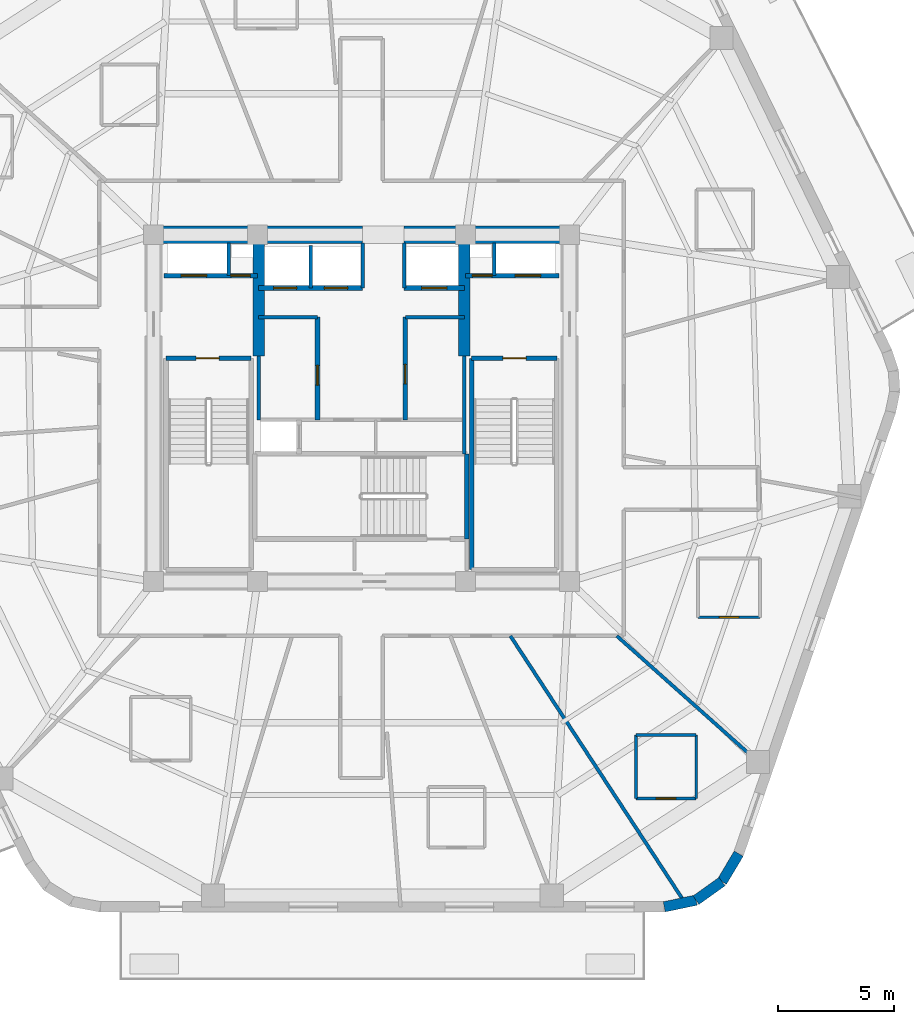
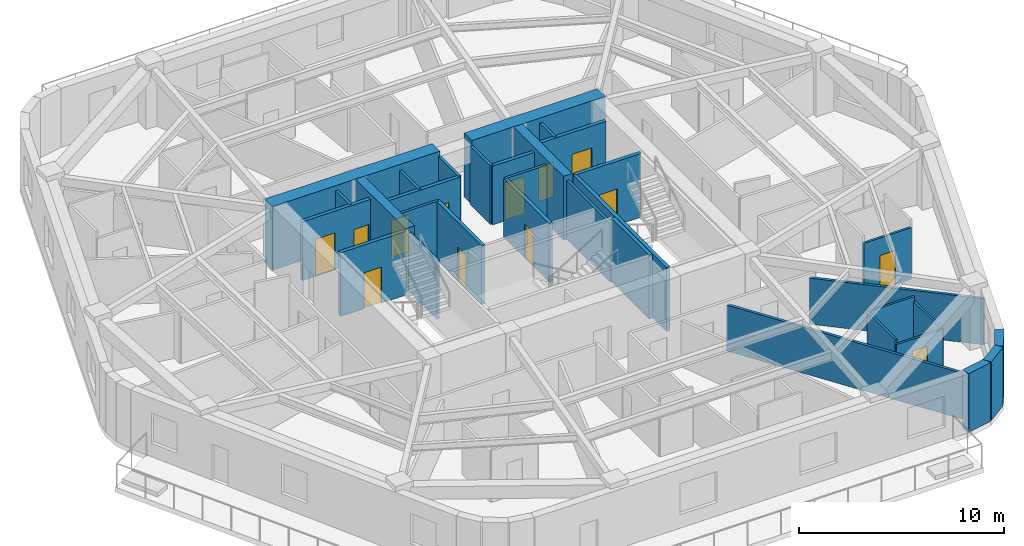
# One storey, part 4 of 10: 33 walls, 13 doors, 13 openings.
"""IFC4 building model written with IfcOpenShell, lengths in metres."""

from ifc_helpers import new_model, si_unit, direction, frame, frame_2d, origin, place, context, subcontext, project, spatial, rectangle, extrude, material, layer, layer_set, type_object, element, fill, save


model = new_model("IFC4")

# Units and contexts
model_context = context("Model", 3, precision=1e-05, world=origin(), true_north=direction((0.0, 1.0)))
body_context = subcontext(model_context, "Body", "Model", "MODEL_VIEW")
ifc_project = project(units=[si_unit("LENGTHUNIT", "METRE"), si_unit("AREAUNIT", "SQUARE_METRE"), si_unit("VOLUMEUNIT", "CUBIC_METRE"), si_unit("PLANEANGLEUNIT", "RADIAN"), si_unit("MASSUNIT", "GRAM", prefix="KILO")], contexts=[model_context])

# Site, building, storey
site_placement = place(None, origin())
site = spatial("IfcSite", under=ifc_project, at=site_placement, CompositionType="ELEMENT")
building_placement = place(site_placement, origin())
building = spatial("IfcBuilding", under=site, at=building_placement, Name="Kilnhurst Terrace Hotel", CompositionType="ELEMENT")
storey_placement = place(building_placement, frame((0.0, 0.0, 217.89990234375)))
storey = spatial("IfcBuildingStorey", under=building, at=storey_placement, Name="L54", CompositionType="ELEMENT", Elevation=217.89990234375)

# Walls
ifc_material_1 = material(Name="Precast concrete C40/50", Category="concrete")
ifc_layer_1 = layer(ifc_material_1, 0.449951171875, Name="Precast concrete C40/50")
ifc_layer_set_1 = layer_set([ifc_layer_1], Name="Precast concrete C40/50")
wall_type_1 = type_object("IfcWallType", Name="WL-BRK-450", PredefinedType="SOLIDWALL", material=ifc_layer_set_1)
wall_1_placement = place(storey_placement, frame((13.1015625, -21.574951171875, 0.0), z_axis=(0.0, 0.0, 1.0), x_axis=(0.978757421505, 0.205021730188, 0.0)))
element("IfcWall", 1, at=wall_1_placement, inside=storey, type_object=wall_type_1, Name="L54 Rounded Corner Brick Wall C2.1", PredefinedType="SOLIDWALL", context=body_context, shape_type="SweptSolid", body=[
    extrude(rectangle(XDim=1.40625, YDim=0.449951171875, at=frame_2d((0.703125, 0.0))), origin(), (0.0, 0.0, 1.0), 3.5),
])
wall_2_placement = place(storey_placement, frame((14.47802734375, -21.28662109375, 0.0), z_axis=(0.0, 0.0, 1.0), x_axis=(0.813888518617, 0.58102106611, 0.0)))
element("IfcWall", 2, at=wall_2_placement, inside=storey, type_object=wall_type_1, Name="L54 Rounded Corner Brick Wall C2.2", PredefinedType="SOLIDWALL", context=body_context, shape_type="SweptSolid", body=[
    extrude(rectangle(XDim=1.3828125, YDim=0.449951171875, at=frame_2d((0.69140625, 0.0))), origin(), (0.0, 0.0, 1.0), 3.5),
])
wall_3_placement = place(storey_placement, frame((15.603515625, -20.483154296875, 0.0), z_axis=(0.0, 0.0, 1.0), x_axis=(0.512222149036, 0.858852996756, 0.0)))
element("IfcWall", 3, at=wall_3_placement, inside=storey, type_object=wall_type_1, Name="L54 Rounded Corner Brick Wall C2.3", PredefinedType="SOLIDWALL", context=body_context, shape_type="SweptSolid", body=[
    extrude(rectangle(XDim=1.406494140625, YDim=0.449951171875, at=frame_2d((0.703125, 0.0))), origin(), (0.0, 0.0, 1.0), 3.5),
])
ifc_material_2 = material(Name="Concrete C60/75", Category="concrete")
ifc_layer_2 = layer(ifc_material_2, 0.75, Name="Concrete C60/75")
ifc_layer_set_2 = layer_set([ifc_layer_2], Name="Concrete C60/75")
wall_type_2 = type_object("IfcWallType", Name="WL-CORE-750", PredefinedType="SHEAR", material=ifc_layer_set_2)
wall_4_placement = place(storey_placement, frame((-9.375, 7.5, 0.0), z_axis=(0.0, 0.0, 1.0), x_axis=(1.0, 0.0, 0.0)))
element("IfcWall", 4, at=wall_4_placement, inside=storey, type_object=wall_type_2, Name="L54 Core North West Shear Wall", PredefinedType="SHEAR", context=body_context, shape_type="SweptSolid", body=[
    extrude(rectangle(XDim=9.425048828125, YDim=0.75, at=frame_2d((4.71240234375, 0.0))), origin(), (0.0, 0.0, 1.0), 3.800048828125),
])
wall_5_placement = place(storey_placement, frame((1.85009765625, 7.5, 0.0), z_axis=(0.0, 0.0, 1.0), x_axis=(1.0, 0.0, 0.0)))
element("IfcWall", 5, at=wall_5_placement, inside=storey, type_object=wall_type_2, Name="L54 Core North East Shear Wall", PredefinedType="SHEAR", context=body_context, shape_type="SweptSolid", body=[
    extrude(rectangle(XDim=7.52490234375, YDim=0.75, at=frame_2d((3.762451171875, 0.0))), origin(), (0.0, 0.0, 1.0), 3.800048828125),
])
ifc_layer_3 = layer(ifc_material_2, 0.5, Name="Concrete C60/75")
ifc_layer_set_3 = layer_set([ifc_layer_3], Name="Concrete C60/75")
wall_type_3 = type_object("IfcWallType", Name="WL-CORE-WEB-500", PredefinedType="SHEAR", material=ifc_layer_set_3)
for number, where, z_axis, x_axis, name in (
    (6, (-4.449951171875, 2.25, 0.0), (0.0, 0.0, 1.0), (0.0, 1.0, 0.0), "L54 Core Internal West Shear Web"),
    (7, (4.449951171875, 2.25, 0.0), (0.0, 0.0, 1.0), (0.0, 1.0, 0.0), "L54 Core Internal East Shear Web"),
):
    element("IfcWall", number, at=place(storey_placement, frame(where, z_axis=z_axis, x_axis=x_axis)), inside=storey, type_object=wall_type_3, Name=name, PredefinedType="SHEAR", context=body_context, shape_type="SweptSolid", body=[
        extrude(rectangle(XDim=4.875, YDim=0.5, at=frame_2d((2.4375, 0.0))), origin(), (0.0, 0.0, 1.0), 3.800048828125),
    ])
ifc_material_3 = material(Name="STC-58 Acoustic Twin-Frame Guestroom Demising Partition")
ifc_layer_4 = layer(ifc_material_3, 0.14990234375, Name="STC-58 Acoustic Twin-Frame Guestroom Demising Partition")
ifc_layer_set_4 = layer_set([ifc_layer_4], Name="STC-58 Acoustic Twin-Frame Guestroom Demising Partition")
wall_type_4 = type_object("IfcWallType", Name="WL-DEM-150", PredefinedType="PARTITIONING", material=ifc_layer_set_4)
wall_6_placement = place(storey_placement, frame((6.4443359375, -9.85009765625, 0.0), z_axis=(0.0, 0.0, 1.0), x_axis=(0.547492333129, -0.836810698525, 0.0)))
element("IfcWall", 8, at=wall_6_placement, inside=storey, type_object=wall_type_4, Name="L54 Interior Wall WL-L54-DEM-MID10-15-1", PredefinedType="PARTITIONING", context=body_context, shape_type="SweptSolid", body=[
    extrude(rectangle(XDim=13.6162109375, YDim=0.14990234375, at=frame_2d((6.80810546875, 0.0))), origin(), (0.0, 0.0, 1.0), 2.739990234375),
])
wall_7_placement = place(storey_placement, frame((11.04833984375, -9.85009765625, 0.0), z_axis=(0.0, 0.0, 1.0), x_axis=(0.746444434655, -0.665447748492, 0.0)))
element("IfcWall", 9, at=wall_7_placement, inside=storey, type_object=wall_type_4, Name="L54 Interior Wall WL-L54-DEM-COL11-16-1", PredefinedType="PARTITIONING", context=body_context, shape_type="SweptSolid", body=[
    extrude(rectangle(XDim=8.732177734375, YDim=0.14990234375, at=frame_2d((4.3662109375, 0.0))), origin(), (0.0, 0.0, 1.0), 2.739990234375),
])

# Wall, opening, door
ifc_material_4 = material(Name="120 mm Moisture-Resistant Tile-Backed Bathroom Partition")
ifc_layer_5 = layer(ifc_material_4, 0.1201171875, Name="120 mm Moisture-Resistant Tile-Backed Bathroom Partition")
ifc_layer_set_5 = layer_set([ifc_layer_5], Name="120 mm Moisture-Resistant Tile-Backed Bathroom Partition")
wall_type_5 = type_object("IfcWallType", Name="WL-PART-120", PredefinedType="PARTITIONING", material=ifc_layer_set_5)
wall_8_placement = place(storey_placement, frame((11.884033203125, -16.889892578125, 0.0), z_axis=(0.0, 0.0, 1.0), x_axis=(1.0, 0.0, 0.0)))
wall_8 = element("IfcWall", 10, at=wall_8_placement, inside=storey, type_object=wall_type_5, Name="L54 Interior Wall WL-L54-BTH-15-1", PredefinedType="PARTITIONING", context=body_context, shape_type="SweptSolid", body=[
    extrude(rectangle(XDim=2.599853515625, YDim=0.1201171875, at=frame_2d((1.2998046875, 0.0))), origin(), (0.0, 0.0, 1.0), 2.739990234375),
])
opening_1_placement = place(wall_8_placement, frame((0.875, 0.0, 0.0)))
opening_1 = element("IfcOpeningElement", 11, at=opening_1_placement, cuts=wall_8, Name="Opening D-08A", PredefinedType="OPENING", context=body_context, shape_type="SweptSolid", body=[
    extrude(rectangle(XDim=0.85009765625, YDim=2.030029296875, at=frame_2d((0.425048828125, 1.01513671875))), frame((0.0, 0.070068359375, 0.0), z_axis=(0.0, -1.0, 0.0), x_axis=(1.0, 0.0, 0.0)), (0.0, 0.0, 1.0), 0.14013671875),
])
ifc_material_5 = material(Name="Moisture-Resistant Lacquered En-suite Bathroom Door")
door_type_1 = type_object("IfcDoorType", Name="DR-INT-850", OperationType="NOTDEFINED", PredefinedType="DOOR", material=ifc_material_5)
door_1_placement = place(opening_1_placement, origin())
door_1 = element("IfcDoor", 12, at=door_1_placement, inside=storey, type_object=door_type_1, Name="L54 En-suite Bathroom Door 15", OperationType="SINGLE_SWING_RIGHT", OverallHeight=2.030029296875, OverallWidth=0.85009765625, PredefinedType="DOOR", context=body_context, shape_type="SweptSolid", body=[
    extrude(rectangle(XDim=0.85009765625, YDim=2.030029296875, at=frame_2d((0.425048828125, 1.01513671875))), frame((0.0, 0.02490234375, 0.0), z_axis=(0.0, -1.0, 0.0), x_axis=(1.0, 0.0, 0.0)), (0.0, 0.0, 1.0), 0.050048828125),
])
fill(opening_1, door_1)

# Walls
wall_9_placement = place(storey_placement, frame((14.48388671875, -16.889892578125, 0.0), z_axis=(0.0, 0.0, 1.0), x_axis=(0.0, 1.0, 0.0)))
element("IfcWall", 13, at=wall_9_placement, inside=storey, type_object=wall_type_5, Name="L54 Interior Wall WL-L54-BTH-15-2", PredefinedType="PARTITIONING", context=body_context, shape_type="SweptSolid", body=[
    extrude(rectangle(XDim=2.75, YDim=0.1201171875, at=frame_2d((1.375, 0.0))), origin(), (0.0, 0.0, 1.0), 2.739990234375),
])
wall_10_placement = place(storey_placement, frame((14.48388671875, -14.139892578125, 0.0), z_axis=(0.0, 0.0, 1.0), x_axis=(-1.0, 0.0, 0.0)))
element("IfcWall", 14, at=wall_10_placement, inside=storey, type_object=wall_type_5, Name="L54 Interior Wall WL-L54-BTH-15-3", PredefinedType="PARTITIONING", context=body_context, shape_type="SweptSolid", body=[
    extrude(rectangle(XDim=2.599853515625, YDim=0.1201171875, at=frame_2d((1.2998046875, 0.0))), origin(), (0.0, 0.0, 1.0), 3.026611328125),
])
wall_11_placement = place(storey_placement, frame((11.884033203125, -14.139892578125, 0.0), z_axis=(0.0, 0.0, 1.0), x_axis=(0.0, -1.0, 0.0)))
element("IfcWall", 15, at=wall_11_placement, inside=storey, type_object=wall_type_5, Name="L54 Interior Wall WL-L54-BTH-15-4", PredefinedType="PARTITIONING", context=body_context, shape_type="SweptSolid", body=[
    extrude(rectangle(XDim=2.75, YDim=0.1201171875, at=frame_2d((1.375, 0.0))), origin(), (0.0, 0.0, 1.0), 3.026611328125),
])

# Wall, opening, door
wall_12_placement = place(storey_placement, frame((14.568115234375, -9.044921875, 0.0), z_axis=(0.0, 0.0, 1.0), x_axis=(1.0, 0.0, 0.0)))
wall_12 = element("IfcWall", 16, at=wall_12_placement, inside=storey, type_object=wall_type_5, Name="L54 Interior Wall WL-L54-BTH-16-1", PredefinedType="PARTITIONING", context=body_context, shape_type="SweptSolid", body=[
    extrude(rectangle(XDim=2.679931640625, YDim=0.1201171875, at=frame_2d((1.33984375, 0.0))), origin(), (0.0, 0.0, 1.0), 3.072509765625),
])
opening_2_placement = place(wall_12_placement, frame((0.9150390625, 0.0, 0.0)))
opening_2 = element("IfcOpeningElement", 17, at=opening_2_placement, cuts=wall_12, Name="Opening D-08A", PredefinedType="OPENING", context=body_context, shape_type="SweptSolid", body=[
    extrude(rectangle(XDim=0.85009765625, YDim=2.030029296875, at=frame_2d((0.425048828125, 1.01513671875))), frame((0.0, 0.070068359375, 0.0), z_axis=(0.0, -1.0, 0.0), x_axis=(1.0, 0.0, 0.0)), (0.0, 0.0, 1.0), 0.14013671875),
])
door_2_placement = place(opening_2_placement, origin())
door_2 = element("IfcDoor", 18, at=door_2_placement, inside=storey, type_object=door_type_1, Name="L54 En-suite Bathroom Door 16", OperationType="SINGLE_SWING_LEFT", OverallHeight=2.030029296875, OverallWidth=0.85009765625, PredefinedType="DOOR", context=body_context, shape_type="SweptSolid", body=[
    extrude(rectangle(XDim=0.85009765625, YDim=2.030029296875, at=frame_2d((0.425048828125, 1.01513671875))), frame((0.0, 0.02490234375, 0.0), z_axis=(0.0, -1.0, 0.0), x_axis=(1.0, 0.0, 0.0)), (0.0, 0.0, 1.0), 0.050048828125),
])
fill(opening_2, door_2)

# Walls
ifc_material_6 = material(Name="Fire-Rated Gypsum Shaftliner Assembly")
ifc_layer_6 = layer(ifc_material_6, 0.14990234375, Name="Fire-Rated Gypsum Shaftliner Assembly")
ifc_layer_set_6 = layer_set([ifc_layer_6], Name="Fire-Rated Gypsum Shaftliner Assembly")
wall_type_6 = type_object("IfcWallType", Name="WL-SHAFT-150", PredefinedType="PARTITIONING", material=ifc_layer_set_6)
for number, where, z_axis, x_axis, name in (
    (19, (-5.75, 5.739990234375, 0.0), (0.0, 0.0, 1.0), (0.0, 1.0, 0.0), "L54 Interior Wall WL-L54-RIS1-DIV"),
    (20, (5.75, 5.739990234375, 0.0), (0.0, 0.0, 1.0), (0.0, 1.0, 0.0), "L54 Interior Wall WL-L54-RIS2-DIV"),
):
    element("IfcWall", number, at=place(storey_placement, frame(where, z_axis=z_axis, x_axis=x_axis)), inside=storey, type_object=wall_type_6, Name=name, PredefinedType="PARTITIONING", context=body_context, shape_type="SweptSolid", body=[
        extrude(rectangle(XDim=1.409912109375, YDim=0.14990234375, at=frame_2d((0.705078125, 0.0))), origin(), (0.0, 0.0, 1.0), 3.5),
    ])
wall_13_placement = place(storey_placement, frame((-2.199951171875, 5.199951171875, 0.0), z_axis=(0.0, 0.0, 1.0), x_axis=(0.0, 1.0, 0.0)))
element("IfcWall", 21, at=wall_13_placement, inside=storey, type_object=wall_type_6, Name="L54 Interior Wall WL-L54-HR-DIV1", PredefinedType="PARTITIONING", context=body_context, shape_type="SweptSolid", body=[
    extrude(rectangle(XDim=1.85009765625, YDim=0.14990234375, at=frame_2d((0.925048828125, 0.0))), origin(), (0.0, 0.0, 1.0), 3.5),
])
for number, where, z_axis, x_axis, name in (
    (22, (0.050048828125, 5.199951171875, 0.0), (0.0, 0.0, 1.0), (0.0, 1.0, 0.0), "L54 Interior Wall WL-L54-HR-PORTAL-W"),
    (23, (1.85009765625, 5.199951171875, 0.0), (0.0, 0.0, 1.0), (0.0, 1.0, 0.0), "L54 Interior Wall WL-L54-HR-PORTAL-E"),
):
    element("IfcWall", number, at=place(storey_placement, frame(where, z_axis=z_axis, x_axis=x_axis)), inside=storey, type_object=wall_type_6, Name=name, PredefinedType="PARTITIONING", context=body_context, shape_type="SweptSolid", body=[
        extrude(rectangle(XDim=1.949951171875, YDim=0.14990234375, at=frame_2d((0.97509765625, 0.0))), origin(), (0.0, 0.0, 1.0), 3.5),
    ])
wall_14_placement = place(storey_placement, frame((-4.449951171875, -0.5, 0.0), z_axis=(0.0, 0.0, 1.0), x_axis=(0.0, 1.0, 0.0)))
element("IfcWall", 24, at=wall_14_placement, inside=storey, type_object=wall_type_6, Name="L54 Interior Wall WL-L54-XLOB-W", PredefinedType="PARTITIONING", context=body_context, shape_type="SweptSolid", body=[
    extrude(rectangle(XDim=2.75, YDim=0.14990234375, at=frame_2d((1.375, 0.0))), origin(), (0.0, 0.0, 1.0), 3.5),
])
wall_15_placement = place(storey_placement, frame((4.449951171875, -1.971923828125, 0.0), z_axis=(0.0, 0.0, 1.0), x_axis=(0.0, 1.0, 0.0)))
element("IfcWall", 25, at=wall_15_placement, inside=storey, type_object=wall_type_6, Name="L54 Interior Wall WL-L54-XLOB-E", PredefinedType="PARTITIONING", context=body_context, shape_type="SweptSolid", body=[
    extrude(rectangle(XDim=4.221923828125, YDim=0.14990234375, at=frame_2d((2.11083984375, 0.0))), origin(), (0.0, 0.0, 1.0), 3.5),
])
for number, where, z_axis, x_axis, name in (
    (26, (-4.449951171875, 3.93994140625, 0.0), (0.0, 0.0, 1.0), (1.0, 0.0, 0.0), "L54 Interior Wall WL-L54-LR-NORTH"),
    (27, (1.89990234375, 3.93994140625, 0.0), (0.0, 0.0, 1.0), (1.0, 0.0, 0.0), "L54 Interior Wall WL-L54-MR-NORTH"),
):
    element("IfcWall", number, at=place(storey_placement, frame(where, z_axis=z_axis, x_axis=x_axis)), inside=storey, type_object=wall_type_6, Name=name, PredefinedType="PARTITIONING", context=body_context, shape_type="SweptSolid", body=[
        extrude(rectangle(XDim=2.550048828125, YDim=0.14990234375, at=frame_2d((1.27490234375, 0.0))), origin(), (0.0, 0.0, 1.0), 3.5),
    ])

# Wall, openings, doors
ifc_material_7 = material(Name="Autoclaved Aerated Concrete C30/37 and Gypsum Shaft Assembly", Category="concrete")
ifc_layer_7 = layer(ifc_material_7, 0.199951171875, Name="Autoclaved Aerated Concrete C30/37 and Gypsum Shaft Assembly")
ifc_layer_set_7 = layer_set([ifc_layer_7], Name="Autoclaved Aerated Concrete C30/37 and Gypsum Shaft Assembly")
wall_type_7 = type_object("IfcWallType", Name="WL-SHAFT-200", PredefinedType="PARTITIONING", material=ifc_layer_set_7)
wall_16_placement = place(storey_placement, frame((-8.550048828125, 5.739990234375, 0.0), z_axis=(0.0, 0.0, 1.0), x_axis=(1.0, 0.0, 0.0)))
wall_16 = element("IfcWall", 28, at=wall_16_placement, inside=storey, type_object=wall_type_7, Name="L54 Interior Wall WL-L54-FSAE1-S", PredefinedType="PARTITIONING", context=body_context, shape_type="SweptSolid", body=[
    extrude(rectangle(XDim=4.050048828125, YDim=0.199951171875, at=frame_2d((2.02490234375, 0.0))), origin(), (0.0, 0.0, 1.0), 3.5),
])
opening_3_placement = place(wall_16_placement, frame((0.75, 0.0, 0.0)))
opening_3 = element("IfcOpeningElement", 29, at=opening_3_placement, cuts=wall_16, Name="Opening LD-F1", PredefinedType="OPENING", context=body_context, shape_type="SweptSolid", body=[
    extrude(rectangle(XDim=1.10009765625, YDim=2.199951171875, at=frame_2d((0.550048828125, 1.10009765625))), frame((0.0, 0.10986328125, 0.0), z_axis=(0.0, -1.0, 0.0), x_axis=(1.0, 0.0, 0.0)), (0.0, 0.0, 1.0), 0.219970703125),
])
opening_4_placement = place(wall_16_placement, frame((2.89990234375, 0.0, 0.0)))
opening_4 = element("IfcOpeningElement", 30, at=opening_4_placement, cuts=wall_16, Name="Opening D-60D", PredefinedType="OPENING", context=body_context, shape_type="SweptSolid", body=[
    extrude(rectangle(XDim=0.85009765625, YDim=2.030029296875, at=frame_2d((0.425048828125, 1.01513671875))), frame((0.0, 0.10986328125, 0.0), z_axis=(0.0, -1.0, 0.0), x_axis=(1.0, 0.0, 0.0)), (0.0, 0.0, 1.0), 0.219970703125),
])
ifc_material_8 = material(Name="Painted Hollow Metal Steel ASTM A36 Riser Door", Category="steel")
door_type_2 = type_object("IfcDoorType", Name="DR-FD60-850", OperationType="NOTDEFINED", PredefinedType="DOOR", material=ifc_material_8)
door_3_placement = place(opening_4_placement, origin())
door_3 = element("IfcDoor", 31, at=door_3_placement, inside=storey, type_object=door_type_2, Name="L54 Electrical Riser Door", OperationType="SINGLE_SWING_LEFT", OverallHeight=2.030029296875, OverallWidth=0.85009765625, PredefinedType="DOOR", context=body_context, shape_type="SweptSolid", body=[
    extrude(rectangle(XDim=0.85009765625, YDim=2.030029296875, at=frame_2d((0.425048828125, 1.01513671875))), frame((0.0, 0.02490234375, 0.0), z_axis=(0.0, -1.0, 0.0), x_axis=(1.0, 0.0, 0.0)), (0.0, 0.0, 1.0), 0.050048828125),
])
fill(opening_4, door_3)
ifc_material_9 = material(Name="Bronze-Anodized Stainless Steel AISI 316L Sliding Door", Category="steel")
door_type_3 = type_object("IfcDoorType", Name="DR-LIFT-1100", OperationType="NOTDEFINED", PredefinedType="DOOR", material=ifc_material_9)
door_4_placement = place(opening_3_placement, origin())
door_4 = element("IfcDoor", 32, at=door_4_placement, inside=storey, type_object=door_type_3, Name="L54 FSAE-1 Landing Door", OperationType="SLIDING_TO_LEFT", OverallHeight=2.199951171875, OverallWidth=1.10009765625, PredefinedType="DOOR", context=body_context, shape_type="SweptSolid", body=[
    extrude(rectangle(XDim=1.10009765625, YDim=2.199951171875, at=frame_2d((0.550048828125, 1.10009765625))), frame((0.0, 0.02490234375, 0.0), z_axis=(0.0, -1.0, 0.0), x_axis=(1.0, 0.0, 0.0)), (0.0, 0.0, 1.0), 0.050048828125),
])
fill(opening_3, door_4)

wall_17_placement = place(storey_placement, frame((4.5, 5.739990234375, 0.0), z_axis=(0.0, 0.0, 1.0), x_axis=(1.0, 0.0, 0.0)))
wall_17 = element("IfcWall", 33, at=wall_17_placement, inside=storey, type_object=wall_type_7, Name="L54 Interior Wall WL-L54-FSAE2-S", PredefinedType="PARTITIONING", context=body_context, shape_type="SweptSolid", body=[
    extrude(rectangle(XDim=4.050048828125, YDim=0.199951171875, at=frame_2d((2.02490234375, 0.0))), origin(), (0.0, 0.0, 1.0), 3.5),
])
opening_5_placement = place(wall_17_placement, frame((0.300048828125, 0.0, 0.0)))
opening_5 = element("IfcOpeningElement", 34, at=opening_5_placement, cuts=wall_17, Name="Opening D-60D", PredefinedType="OPENING", context=body_context, shape_type="SweptSolid", body=[
    extrude(rectangle(XDim=0.85009765625, YDim=2.030029296875, at=frame_2d((0.425048828125, 1.01513671875))), frame((0.0, 0.10986328125, 0.0), z_axis=(0.0, -1.0, 0.0), x_axis=(1.0, 0.0, 0.0)), (0.0, 0.0, 1.0), 0.219970703125),
])
opening_6_placement = place(wall_17_placement, frame((2.14990234375, 0.0, 0.0)))
opening_6 = element("IfcOpeningElement", 35, at=opening_6_placement, cuts=wall_17, Name="Opening LD-F2", PredefinedType="OPENING", context=body_context, shape_type="SweptSolid", body=[
    extrude(rectangle(XDim=1.10009765625, YDim=2.199951171875, at=frame_2d((0.550048828125, 1.10009765625))), frame((0.0, 0.10986328125, 0.0), z_axis=(0.0, -1.0, 0.0), x_axis=(1.0, 0.0, 0.0)), (0.0, 0.0, 1.0), 0.219970703125),
])
door_5_placement = place(opening_5_placement, origin())
door_5 = element("IfcDoor", 36, at=door_5_placement, inside=storey, type_object=door_type_2, Name="L54 Telecom Riser Door", OperationType="SINGLE_SWING_RIGHT", OverallHeight=2.030029296875, OverallWidth=0.85009765625, PredefinedType="DOOR", context=body_context, shape_type="SweptSolid", body=[
    extrude(rectangle(XDim=0.85009765625, YDim=2.030029296875, at=frame_2d((0.425048828125, 1.01513671875))), frame((0.0, 0.02490234375, 0.0), z_axis=(0.0, -1.0, 0.0), x_axis=(1.0, 0.0, 0.0)), (0.0, 0.0, 1.0), 0.050048828125),
])
fill(opening_5, door_5)
door_6_placement = place(opening_6_placement, origin())
door_6 = element("IfcDoor", 37, at=door_6_placement, inside=storey, type_object=door_type_3, Name="L54 FSAE-2 Landing Door", OperationType="SLIDING_TO_RIGHT", OverallHeight=2.199951171875, OverallWidth=1.10009765625, PredefinedType="DOOR", context=body_context, shape_type="SweptSolid", body=[
    extrude(rectangle(XDim=1.10009765625, YDim=2.199951171875, at=frame_2d((0.550048828125, 1.10009765625))), frame((0.0, 0.02490234375, 0.0), z_axis=(0.0, -1.0, 0.0), x_axis=(1.0, 0.0, 0.0)), (0.0, 0.0, 1.0), 0.050048828125),
])
fill(opening_6, door_6)

wall_18_placement = place(storey_placement, frame((-4.449951171875, 5.199951171875, 0.0), z_axis=(0.0, 0.0, 1.0), x_axis=(1.0, 0.0, 0.0)))
wall_18 = element("IfcWall", 38, at=wall_18_placement, inside=storey, type_object=wall_type_7, Name="L54 Interior Wall WL-L54-HR-SW", PredefinedType="PARTITIONING", context=body_context, shape_type="SweptSolid", body=[
    extrude(rectangle(XDim=4.5, YDim=0.199951171875, at=frame_2d((2.25, 0.0))), origin(), (0.0, 0.0, 1.0), 3.5),
])
opening_7_placement = place(wall_18_placement, frame((0.64990234375, 0.0, 0.0)))
opening_7 = element("IfcOpeningElement", 39, at=opening_7_placement, cuts=wall_18, Name="Opening LD-HR", PredefinedType="OPENING", context=body_context, shape_type="SweptSolid", body=[
    extrude(rectangle(XDim=1.0, YDim=2.199951171875, at=frame_2d((0.5, 1.10009765625))), frame((0.0, 0.10986328125, 0.0), z_axis=(0.0, -1.0, 0.0), x_axis=(1.0, 0.0, 0.0)), (0.0, 0.0, 1.0), 0.219970703125),
])
opening_8_placement = place(wall_18_placement, frame((2.85009765625, 0.0, 0.0)))
opening_8 = element("IfcOpeningElement", 40, at=opening_8_placement, cuts=wall_18, Name="Opening LD-HS", PredefinedType="OPENING", context=body_context, shape_type="SweptSolid", body=[
    extrude(rectangle(XDim=1.0, YDim=2.199951171875, at=frame_2d((0.5, 1.10009765625))), frame((0.0, 0.10986328125, 0.0), z_axis=(0.0, -1.0, 0.0), x_axis=(1.0, 0.0, 0.0)), (0.0, 0.0, 1.0), 0.219970703125),
])
door_type_4 = type_object("IfcDoorType", Name="DR-LIFT-1000", OperationType="NOTDEFINED", PredefinedType="DOOR", material=ifc_material_9)
door_7_placement = place(opening_7_placement, origin())
door_7 = element("IfcDoor", 41, at=door_7_placement, inside=storey, type_object=door_type_4, Name="L54 High Rise Lift HR-1 Landing Door", OperationType="SLIDING_TO_LEFT", OverallHeight=2.199951171875, OverallWidth=1.0, PredefinedType="DOOR", context=body_context, shape_type="SweptSolid", body=[
    extrude(rectangle(XDim=1.0, YDim=2.199951171875, at=frame_2d((0.5, 1.10009765625))), frame((0.0, 0.02490234375, 0.0), z_axis=(0.0, -1.0, 0.0), x_axis=(1.0, 0.0, 0.0)), (0.0, 0.0, 1.0), 0.050048828125),
])
fill(opening_7, door_7)
door_8_placement = place(opening_8_placement, origin())
door_8 = element("IfcDoor", 42, at=door_8_placement, inside=storey, type_object=door_type_4, Name="L54 High Rise Lift HR-3 Landing Door", OperationType="SLIDING_TO_RIGHT", OverallHeight=2.199951171875, OverallWidth=1.0, PredefinedType="DOOR", context=body_context, shape_type="SweptSolid", body=[
    extrude(rectangle(XDim=1.0, YDim=2.199951171875, at=frame_2d((0.5, 1.10009765625))), frame((0.0, 0.02490234375, 0.0), z_axis=(0.0, -1.0, 0.0), x_axis=(1.0, 0.0, 0.0)), (0.0, 0.0, 1.0), 0.050048828125),
])
fill(opening_8, door_8)

# Wall, opening, door
wall_19_placement = place(storey_placement, frame((1.85009765625, 5.199951171875, 0.0), z_axis=(0.0, 0.0, 1.0), x_axis=(1.0, 0.0, 0.0)))
wall_19 = element("IfcWall", 43, at=wall_19_placement, inside=storey, type_object=wall_type_7, Name="L54 Interior Wall WL-L54-HR-SE", PredefinedType="PARTITIONING", context=body_context, shape_type="SweptSolid", body=[
    extrude(rectangle(XDim=2.599853515625, YDim=0.199951171875, at=frame_2d((1.2998046875, 0.0))), origin(), (0.0, 0.0, 1.0), 3.5),
])
opening_9_placement = place(wall_19_placement, frame((0.75, 0.0, 0.0)))
opening_9 = element("IfcOpeningElement", 44, at=opening_9_placement, cuts=wall_19, Name="Opening LD-H2", PredefinedType="OPENING", context=body_context, shape_type="SweptSolid", body=[
    extrude(rectangle(XDim=1.10009765625, YDim=2.199951171875, at=frame_2d((0.550048828125, 1.10009765625))), frame((0.0, 0.10986328125, 0.0), z_axis=(0.0, -1.0, 0.0), x_axis=(1.0, 0.0, 0.0)), (0.0, 0.0, 1.0), 0.219970703125),
])
door_9_placement = place(opening_9_placement, origin())
door_9 = element("IfcDoor", 45, at=door_9_placement, inside=storey, type_object=door_type_3, Name="L54 High Rise Lift HR-2 Landing Door", OperationType="SLIDING_TO_RIGHT", OverallHeight=2.199951171875, OverallWidth=1.10009765625, PredefinedType="DOOR", context=body_context, shape_type="SweptSolid", body=[
    extrude(rectangle(XDim=1.10009765625, YDim=2.199951171875, at=frame_2d((0.550048828125, 1.10009765625))), frame((0.0, 0.02490234375, 0.0), z_axis=(0.0, -1.0, 0.0), x_axis=(1.0, 0.0, 0.0)), (0.0, 0.0, 1.0), 0.050048828125),
])
fill(opening_9, door_9)

wall_20_placement = place(storey_placement, frame((-1.89990234375, -0.5, 0.0), z_axis=(0.0, 0.0, 1.0), x_axis=(0.0, 1.0, 0.0)))
wall_20 = element("IfcWall", 46, at=wall_20_placement, inside=storey, type_object=wall_type_7, Name="L54 Interior Wall WL-L54-LR-FRONT", PredefinedType="PARTITIONING", context=body_context, shape_type="SweptSolid", body=[
    extrude(rectangle(XDim=4.43994140625, YDim=0.199951171875, at=frame_2d((2.219970703125, 0.0))), origin(), (0.0, 0.0, 1.0), 3.5),
])
opening_10_placement = place(wall_20_placement, frame((1.5, 0.0, 0.0)))
opening_10 = element("IfcOpeningElement", 47, at=opening_10_placement, cuts=wall_20, Name="Opening D-60D", PredefinedType="OPENING", context=body_context, shape_type="SweptSolid", body=[
    extrude(rectangle(XDim=0.85009765625, YDim=2.030029296875, at=frame_2d((0.425048828125, 1.01513671875))), frame((0.0, 0.10986328125, 0.0), z_axis=(0.0, -1.0, 0.0), x_axis=(1.0, 0.0, 0.0)), (0.0, 0.0, 1.0), 0.219970703125),
])
door_10_placement = place(opening_10_placement, origin())
door_10 = element("IfcDoor", 48, at=door_10_placement, inside=storey, type_object=door_type_2, Name="L54 Reclaimed Linen Room Door", OperationType="SINGLE_SWING_LEFT", OverallHeight=2.030029296875, OverallWidth=0.85009765625, PredefinedType="DOOR", context=body_context, shape_type="SweptSolid", body=[
    extrude(rectangle(XDim=0.85009765625, YDim=2.030029296875, at=frame_2d((0.425048828125, 1.01513671875))), frame((0.0, 0.02490234375, 0.0), z_axis=(0.0, -1.0, 0.0), x_axis=(1.0, 0.0, 0.0)), (0.0, 0.0, 1.0), 0.050048828125),
])
fill(opening_10, door_10)

wall_21_placement = place(storey_placement, frame((1.89990234375, -0.5, 0.0), z_axis=(0.0, 0.0, 1.0), x_axis=(0.0, 1.0, 0.0)))
wall_21 = element("IfcWall", 49, at=wall_21_placement, inside=storey, type_object=wall_type_7, Name="L54 Interior Wall WL-L54-MR-FRONT", PredefinedType="PARTITIONING", context=body_context, shape_type="SweptSolid", body=[
    extrude(rectangle(XDim=4.43994140625, YDim=0.199951171875, at=frame_2d((2.219970703125, 0.0))), origin(), (0.0, 0.0, 1.0), 3.5),
])
opening_11_placement = place(wall_21_placement, frame((1.550048828125, 0.0, 0.0)))
opening_11 = element("IfcOpeningElement", 50, at=opening_11_placement, cuts=wall_21, Name="Opening D-60D", PredefinedType="OPENING", context=body_context, shape_type="SweptSolid", body=[
    extrude(rectangle(XDim=0.85009765625, YDim=2.030029296875, at=frame_2d((0.425048828125, 1.01513671875))), frame((0.0, 0.10986328125, 0.0), z_axis=(0.0, -1.0, 0.0), x_axis=(1.0, 0.0, 0.0)), (0.0, 0.0, 1.0), 0.219970703125),
])
door_11_placement = place(opening_11_placement, origin())
door_11 = element("IfcDoor", 51, at=door_11_placement, inside=storey, type_object=door_type_2, Name="L54 Staff Accessible Restroom Door", OperationType="SINGLE_SWING_RIGHT", OverallHeight=2.030029296875, OverallWidth=0.85009765625, PredefinedType="DOOR", context=body_context, shape_type="SweptSolid", body=[
    extrude(rectangle(XDim=0.85009765625, YDim=2.030029296875, at=frame_2d((0.425048828125, 1.01513671875))), frame((0.0, 0.02490234375, 0.0), z_axis=(0.0, -1.0, 0.0), x_axis=(1.0, 0.0, 0.0)), (0.0, 0.0, 1.0), 0.050048828125),
])
fill(opening_11, door_11)

ifc_material_10 = material(Name="Concrete C50/60", Category="concrete")
ifc_layer_8 = layer(ifc_material_10, 0.199951171875, Name="Concrete C50/60")
ifc_layer_set_8 = layer_set([ifc_layer_8], Name="Concrete C50/60")
wall_type_8 = type_object("IfcWallType", Name="WL-STAIR-RC-200", PredefinedType="SHEAR", material=ifc_layer_set_8)
wall_22_placement = place(storey_placement, frame((-8.4580078125, 2.157958984375, 0.0), z_axis=(0.0, 0.0, 1.0), x_axis=(1.0, 0.0, 0.0)))
wall_22 = element("IfcWall", 52, at=wall_22_placement, inside=storey, type_object=wall_type_8, Name="L54 Structural Stair Shaft Wall WL-L54-ST1-N", PredefinedType="SHEAR", context=body_context, shape_type="SweptSolid", body=[
    extrude(rectangle(XDim=3.68603515625, YDim=0.199951171875, at=frame_2d((1.843017578125, 0.0))), origin(), (0.0, 0.0, 1.0), 3.800048828125),
])
opening_12_placement = place(wall_22_placement, frame((1.300048828125, 0.0, 0.0)))
opening_12 = element("IfcOpeningElement", 53, at=opening_12_placement, cuts=wall_22, Name="Opening D-90B", PredefinedType="OPENING", context=body_context, shape_type="SweptSolid", body=[
    extrude(rectangle(XDim=1.0, YDim=2.14990234375, at=frame_2d((0.5, 1.074951171875))), frame((0.0, 0.10986328125, 0.0), z_axis=(0.0, -1.0, 0.0), x_axis=(1.0, 0.0, 0.0)), (0.0, 0.0, 1.0), 0.219970703125),
])
ifc_material_11 = material(Name="Painted Hollow Metal Steel ASTM A36 Fire Door", Category="steel")
door_type_5 = type_object("IfcDoorType", Name="DR-FD90-1000", OperationType="NOTDEFINED", PredefinedType="DOOR", material=ifc_material_11)
door_12_placement = place(opening_12_placement, origin())
door_12 = element("IfcDoor", 54, at=door_12_placement, inside=storey, type_object=door_type_5, Name="L54 Stair ST-1 Door", OperationType="SINGLE_SWING_LEFT", OverallHeight=2.14990234375, OverallWidth=1.0, PredefinedType="DOOR", context=body_context, shape_type="SweptSolid", body=[
    extrude(rectangle(XDim=1.0, YDim=2.14990234375, at=frame_2d((0.5, 1.074951171875))), frame((0.0, 0.02490234375, 0.0), z_axis=(0.0, -1.0, 0.0), x_axis=(1.0, 0.0, 0.0)), (0.0, 0.0, 1.0), 0.050048828125),
])
fill(opening_12, door_12)

# Wall
wall_23_placement = place(storey_placement, frame((4.77197265625, -6.985107421875, 0.0), z_axis=(0.0, 0.0, 1.0), x_axis=(0.0, 1.0, 0.0)))
element("IfcWall", 55, at=wall_23_placement, inside=storey, type_object=wall_type_8, Name="L54 Structural Stair Shaft Wall WL-L54-ST2-W", PredefinedType="SHEAR", context=body_context, shape_type="SweptSolid", body=[
    extrude(rectangle(XDim=9.14306640625, YDim=0.199951171875, at=frame_2d((4.571533203125, 0.0))), origin(), (0.0, 0.0, 1.0), 3.800048828125),
])

# Wall, opening, door
wall_24_placement = place(storey_placement, frame((4.77197265625, 2.157958984375, 0.0), z_axis=(0.0, 0.0, 1.0), x_axis=(1.0, 0.0, 0.0)))
wall_24 = element("IfcWall", 56, at=wall_24_placement, inside=storey, type_object=wall_type_8, Name="L54 Structural Stair Shaft Wall WL-L54-ST2-N", PredefinedType="SHEAR", context=body_context, shape_type="SweptSolid", body=[
    extrude(rectangle(XDim=3.68603515625, YDim=0.199951171875, at=frame_2d((1.843017578125, 0.0))), origin(), (0.0, 0.0, 1.0), 3.800048828125),
])
opening_13_placement = place(wall_24_placement, frame((1.35009765625, 0.0, 0.0)))
opening_13 = element("IfcOpeningElement", 57, at=opening_13_placement, cuts=wall_24, Name="Opening D-90B", PredefinedType="OPENING", context=body_context, shape_type="SweptSolid", body=[
    extrude(rectangle(XDim=1.0, YDim=2.14990234375, at=frame_2d((0.5, 1.074951171875))), frame((0.0, 0.10986328125, 0.0), z_axis=(0.0, -1.0, 0.0), x_axis=(1.0, 0.0, 0.0)), (0.0, 0.0, 1.0), 0.219970703125),
])
door_13_placement = place(opening_13_placement, origin())
door_13 = element("IfcDoor", 58, at=door_13_placement, inside=storey, type_object=door_type_5, Name="L54 Stair ST-2 Door", OperationType="SINGLE_SWING_RIGHT", OverallHeight=2.14990234375, OverallWidth=1.0, PredefinedType="DOOR", context=body_context, shape_type="SweptSolid", body=[
    extrude(rectangle(XDim=1.0, YDim=2.14990234375, at=frame_2d((0.5, 1.074951171875))), frame((0.0, 0.02490234375, 0.0), z_axis=(0.0, -1.0, 0.0), x_axis=(1.0, 0.0, 0.0)), (0.0, 0.0, 1.0), 0.050048828125),
])
fill(opening_13, door_13)

# Wall
wall_25_placement = place(storey_placement, frame((4.55810546875, -5.657958984375, 0.0), z_axis=(0.0, 0.0, 1.0), x_axis=(0.0, 1.0, 0.0)))
element("IfcWall", 59, at=wall_25_placement, inside=storey, type_object=wall_type_8, Name="L54 Structural Stair Shaft Wall WL-L54-ST3-E", PredefinedType="SHEAR", context=body_context, shape_type="SweptSolid", body=[
    extrude(rectangle(XDim=3.68603515625, YDim=0.199951171875, at=frame_2d((1.843017578125, 0.0))), origin(), (0.0, 0.0, 1.0), 3.800048828125),
])

save(model, "model.ifc")
